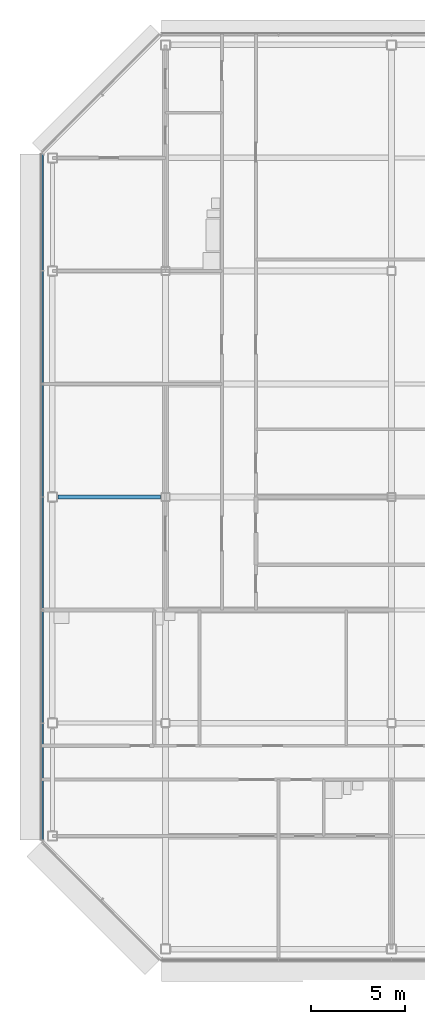
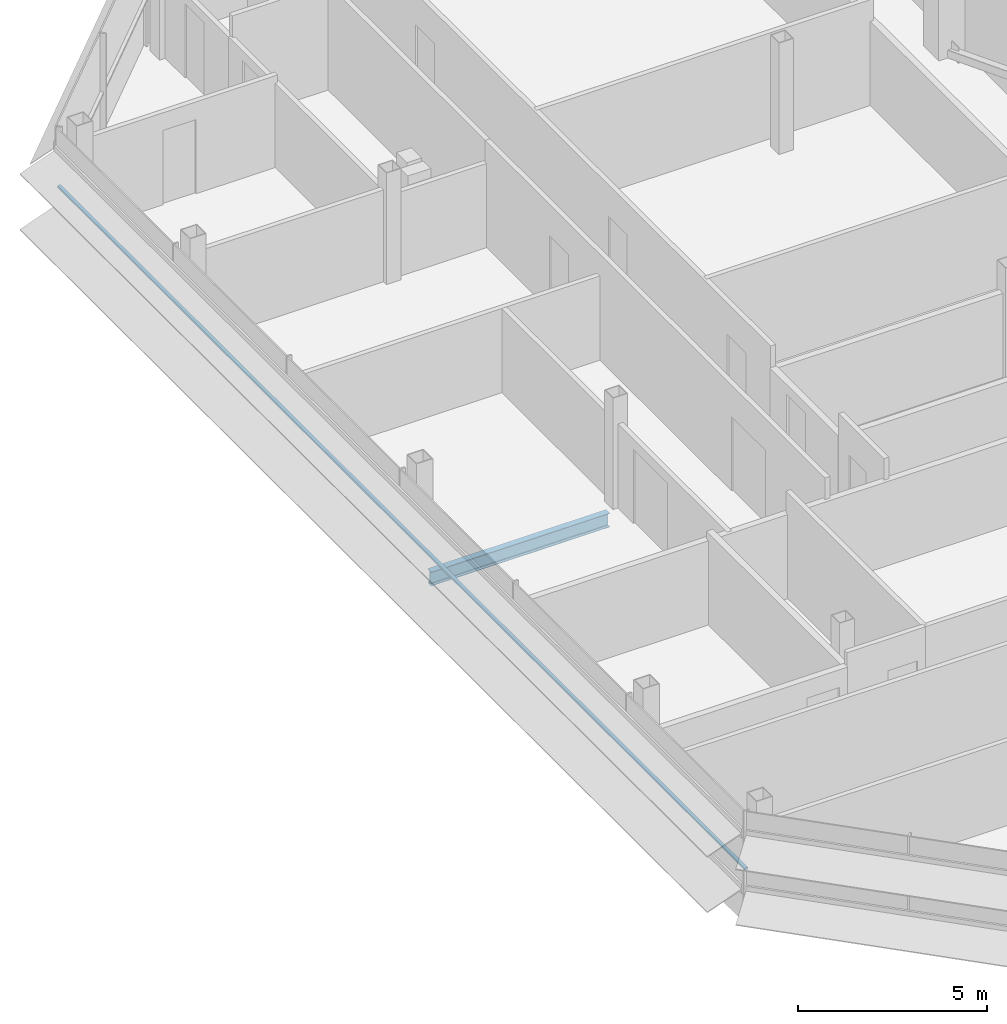
# One storey, part 7 of 28: 1 beam, 1 member, 1 element without a shape of its own.
"""IFC4 building model written with IfcOpenShell, lengths in metres."""

from ifc_helpers import new_model, si_unit, direction, frame, origin, origin_2d, place, context, subcontext, project, spatial, rectangle, i_section, extrude, material, material_profile, profile_set, type_object, element, aggregate, save


model = new_model("IFC4")

# Units and contexts
model_context = context("Model", 3, precision=1e-05, world=origin(), true_north=direction((0.0, 1.0)))
body_context = subcontext(model_context, "Body", "Model", "MODEL_VIEW")
ifc_project = project(units=[si_unit("LENGTHUNIT", "METRE"), si_unit("AREAUNIT", "SQUARE_METRE"), si_unit("VOLUMEUNIT", "CUBIC_METRE"), si_unit("PLANEANGLEUNIT", "RADIAN"), si_unit("MASSUNIT", "GRAM", prefix="KILO")], contexts=[model_context])

# Site, building, storey
site_placement = place(None, origin())
site = spatial("IfcSite", under=ifc_project, at=site_placement, CompositionType="ELEMENT")
building_placement = place(site_placement, origin())
building = spatial("IfcBuilding", under=site, at=building_placement, Name="Sorahane Residences", CompositionType="ELEMENT")
storey_placement = place(building_placement, frame((0.0, 0.0, 301.60009765625)))
storey = spatial("IfcBuildingStorey", under=building, at=storey_placement, Name="L71", CompositionType="ELEMENT", Elevation=301.60009765625)

# Curtain wall, member
ifc_material_1 = material(Name="Dark low-e glass and black anodised aluminium", Category="aluminium")
curtain_wall_type = type_object("IfcCurtainWallType", Name="Curtain wall CW-1 Typical unitised wall", PredefinedType="NOTDEFINED", material=ifc_material_1)
curtain_wall_placement = place(storey_placement, origin())
curtain_wall = element("IfcCurtainWall", 1, at=curtain_wall_placement, inside=storey, type_object=curtain_wall_type, Name="CW-1 curtain wall L71 W1", PredefinedType="NOTDEFINED")
ifc_material_2 = material(Name="Black anodised aluminium", Category="aluminium")
ifc_material_profile_1 = material_profile(ifc_material_2, rectangle(XDim=0.10009765625, YDim=0.06005859375, at=origin_2d()), Name="Curtain wall transom CW-1 black anodised aluminium 60x100")
ifc_profile_set_1 = profile_set([ifc_material_profile_1], Name="Black anodised aluminium")
member_type = type_object("IfcMemberType", Name="Curtain wall transom CW-1 black anodised aluminium 60x100", PredefinedType="USERDEFINED", material=ifc_profile_set_1)
member_placement = place(storey_placement, frame((-18.530029296875, 42.198486328125, 1.5), z_axis=(0.0, -1.0, 0.0), x_axis=(1.0, 0.0, 0.0)))
member = element("IfcMember", 2, at=member_placement, type_object=member_type, Name="CW-1 transom L71 W1", ObjectType="TRANSOM", PredefinedType="USERDEFINED", context=body_context, shape_type="SweptSolid", body=[
    extrude(rectangle(XDim=0.10009765625, YDim=0.06005859375, at=origin_2d()), origin(), (0.0, 0.0, 1.0), 36.39697265625),
])
aggregate(curtain_wall, [member])

# Beam
ifc_material_3 = material(Name="Steel Q355B", Category="steel")
ifc_material_profile_2 = material_profile(ifc_material_3, i_section(OverallWidth=0.199951171875, OverallDepth=0.449951171875, WebThickness=0.009033203125, FlangeThickness=0.013916015625, FilletRadius=0.02001953125, at=origin_2d()), Name="HN 450x200x9x14")
ifc_profile_set_2 = profile_set([ifc_material_profile_2], Name="Steel Q355B")
beam_type = type_object("IfcBeamType", Name="Steel floor beam HN 450x200x9x14 Q355B", PredefinedType="BEAM", material=ifc_profile_set_2)
beam_placement = place(storey_placement, frame((-17.699951171875, 24.0, -0.405029296875), z_axis=(1.0, 0.0, 0.0), x_axis=(0.0, 1.0, 0.0)))
element("IfcBeam", 3, at=beam_placement, inside=storey, type_object=beam_type, Name="Beam L71 011", PredefinedType="BEAM", context=body_context, shape_type="SweptSolid", body=[
    extrude(i_section(OverallWidth=0.199951171875, OverallDepth=0.449951171875, WebThickness=0.009033203125, FlangeThickness=0.013916015625, FilletRadius=0.02001953125, at=origin_2d()), origin(), (0.0, 0.0, 1.0), 5.449951171875),
])

save(model, "model.ifc")
